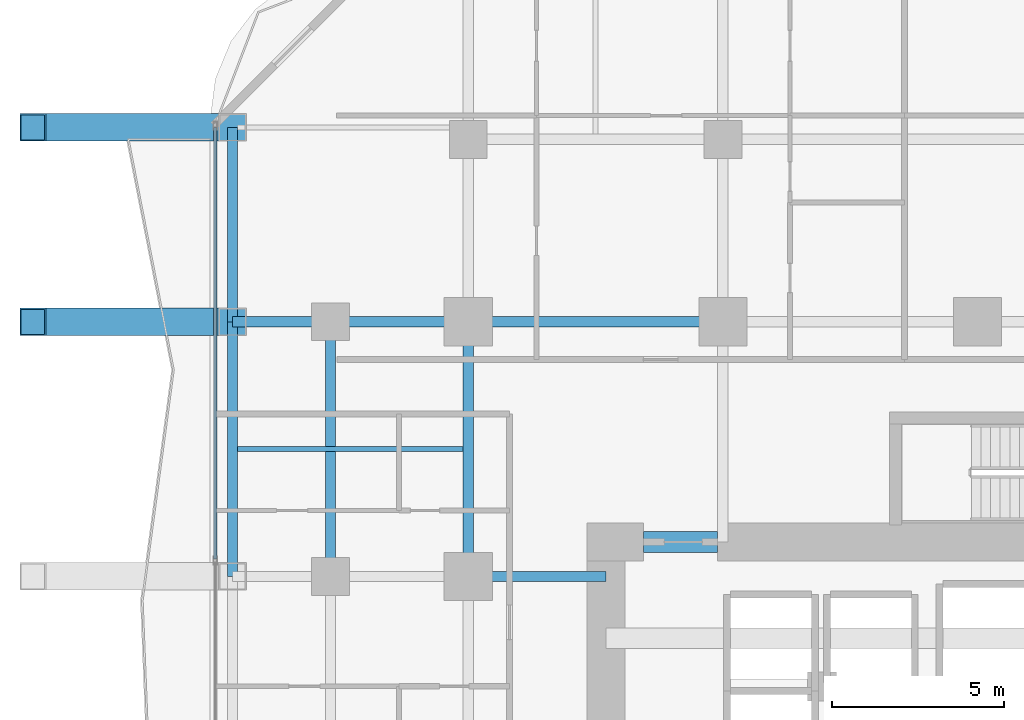
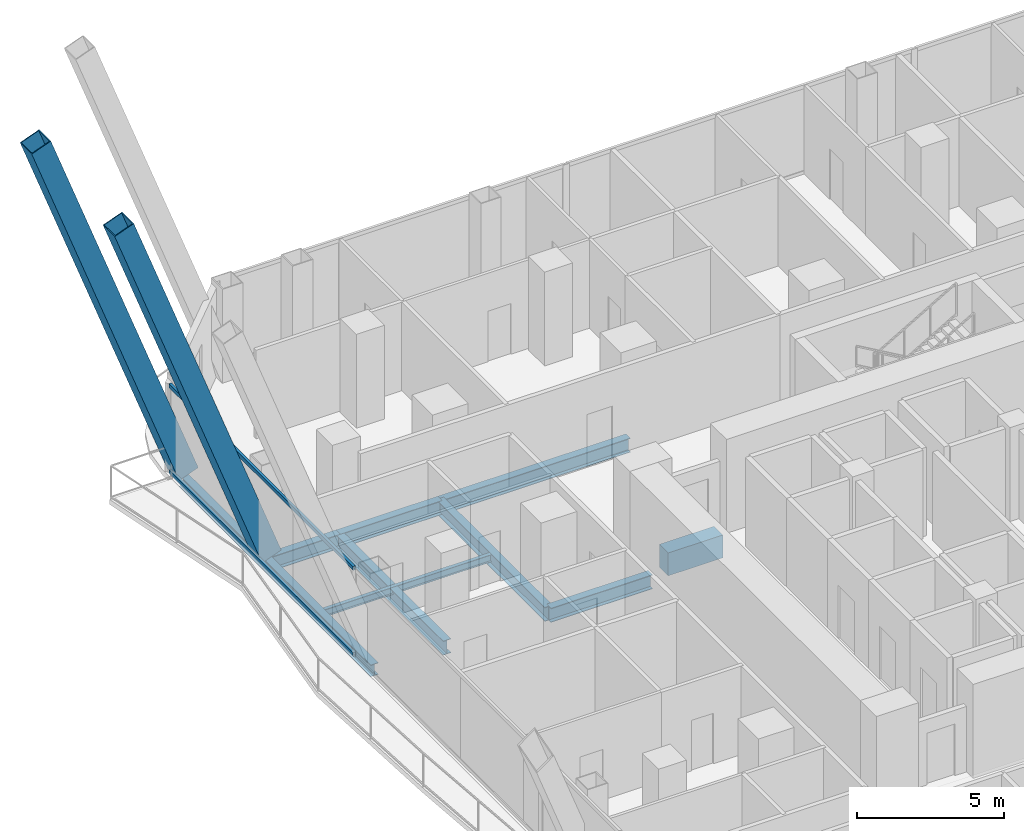
# One storey, part 16 of 33: 10 beams, 4 members, 1 element without a shape of its own.
"""IFC4 building model written with IfcOpenShell, lengths in metres."""

from ifc_helpers import new_model, si_unit, direction, frame, origin, origin_2d, place, context, subcontext, project, spatial, rectangle, hollow_rectangle, i_section, extrude, material, layer, layer_set, material_profile, profile_set, type_object, element, aggregate, save


model = new_model("IFC4")

# Units and contexts
model_context = context("Model", 3, precision=1e-05, world=origin(), true_north=direction((0.0, 1.0)))
body_context = subcontext(model_context, "Body", "Model", "MODEL_VIEW")
ifc_project = project(units=[si_unit("LENGTHUNIT", "METRE"), si_unit("AREAUNIT", "SQUARE_METRE"), si_unit("VOLUMEUNIT", "CUBIC_METRE"), si_unit("PLANEANGLEUNIT", "RADIAN"), si_unit("MASSUNIT", "GRAM", prefix="KILO")], contexts=[model_context])

# Site, building, storey
site_placement = place(None, origin())
site = spatial("IfcSite", under=ifc_project, at=site_placement, CompositionType="ELEMENT")
building_placement = place(site_placement, origin())
building = spatial("IfcBuilding", under=site, at=building_placement, Name="Khorvyn Point Tower", CompositionType="ELEMENT")
storey_placement = place(building_placement, frame((0.0, 0.0, 38.39990234375)))
storey = spatial("IfcBuildingStorey", under=building, at=storey_placement, Name="L10", CompositionType="ELEMENT", Elevation=38.39990234375)

# Curtain wall, members
ifc_material_1 = material(Name="Anodised aluminium 6063-T6 and laminated Low-E glass", Category="aluminium")
ifc_layer = layer(ifc_material_1, 0.18994140625)
ifc_layer_set = layer_set([ifc_layer], Name="Stick-Built Finned Residential Curtain Wall CW-SYS-02")
curtain_wall_type = type_object("IfcCurtainWallType", Name="Stick-Built Finned Residential Curtain Wall CW-SYS-02", PredefinedType="NOTDEFINED", material=ifc_layer_set)
curtain_wall_placement = place(storey_placement, origin())
curtain_wall = element("IfcCurtainWall", 1, at=curtain_wall_placement, inside=storey, type_object=curtain_wall_type, Name="Curtain Wall", PredefinedType="NOTDEFINED")
ifc_material_2 = material(Name="Anodised aluminium 6063-T6", Category="aluminium")
ifc_material_profile_1 = material_profile(ifc_material_2, hollow_rectangle(XDim=0.10009765625, YDim=0.159912109375, WallThickness=0.00439453125, at=origin_2d()))
ifc_profile_set_1 = profile_set([ifc_material_profile_1], Name="Anodised aluminium 6063-T6 ALU-TRN-100x160")
member_type_1 = type_object("IfcMemberType", Name="Anodised Aluminium 6063-T6 Transom ALU-TRN-100x160", PredefinedType="USERDEFINED", material=ifc_profile_set_1)
member_1_placement = place(storey_placement, frame((-22.14990234375, 7.90673828125, 0.050048828125), z_axis=(0.0, 1.0, 0.0), x_axis=(-1.0, 0.0, 0.0)))
member_1 = element("IfcMember", 2, at=member_1_placement, type_object=member_type_1, Name="Transom", ObjectType="TRANSOM", PredefinedType="USERDEFINED", context=body_context, shape_type="SweptSolid", body=[
    extrude(hollow_rectangle(XDim=0.10009765625, YDim=0.159912109375, WallThickness=0.00439453125, at=origin_2d()), origin(), (0.0, 0.0, 1.0), 12.543212890625),
])
member_2_placement = place(storey_placement, frame((-22.14990234375, 7.90673828125, 3.630126953125), z_axis=(0.0, 1.0, 0.0), x_axis=(-1.0, 0.0, 0.0)))
member_2 = element("IfcMember", 3, at=member_2_placement, type_object=member_type_1, Name="Transom", ObjectType="TRANSOM", PredefinedType="USERDEFINED", context=body_context, shape_type="SweptSolid", body=[
    extrude(hollow_rectangle(XDim=0.10009765625, YDim=0.159912109375, WallThickness=0.00439453125, at=origin_2d()), origin(), (0.0, 0.0, 1.0), 12.543212890625),
])
aggregate(curtain_wall, [member_1, member_2])

# Beams
ifc_material_3 = material(Name="Concrete C50/60", Category="concrete")
ifc_material_profile_2 = material_profile(ifc_material_3, rectangle(XDim=0.60009765625, YDim=0.949951171875, at=origin_2d()))
ifc_profile_set_2 = profile_set([ifc_material_profile_2], Name="Concrete C50/60 RC600x950")
beam_type_1 = type_object("IfcBeamType", Name="Concrete C50/60 Beam RC600x950", PredefinedType="BEAM", material=ifc_profile_set_2)
beam_1_placement = place(storey_placement, frame((-9.699951171875, 8.39990234375, -0.69482421875), z_axis=(1.0, 0.0, 0.0), x_axis=(0.0, 1.0, 0.0)))
element("IfcBeam", 4, at=beam_1_placement, inside=storey, type_object=beam_type_1, Name="L10 Core Northwest Portal Coupling Beam", PredefinedType="BEAM", context=body_context, shape_type="SweptSolid", body=[
    extrude(rectangle(XDim=0.60009765625, YDim=0.949951171875, at=origin_2d()), origin(), (0.0, 0.0, 1.0), 2.14990234375),
])
ifc_material_4 = material(Name="Steel S355", Category="steel")
ifc_material_profile_3 = material_profile(ifc_material_4, i_section(OverallWidth=0.300048828125, OverallDepth=0.587890625, WebThickness=0.011962890625, FlangeThickness=0.02001953125, at=origin_2d()))
ifc_profile_set_3 = profile_set([ifc_material_profile_3], Name="Steel S355 H588x300x12x20")
beam_type_2 = type_object("IfcBeamType", Name="Steel S355 Beam H588x300x12x20", PredefinedType="BEAM", material=ifc_profile_set_3)
beam_2_placement = place(storey_placement, frame((-21.64990234375, 14.800048828125, -0.513916015625), z_axis=(1.0, 0.0, 0.0), x_axis=(0.0, 1.0, 0.0)))
element("IfcBeam", 5, at=beam_2_placement, inside=storey, type_object=beam_type_2, Name="Beam", PredefinedType="BEAM", context=body_context, shape_type="SweptSolid", body=[
    extrude(i_section(OverallWidth=0.300048828125, OverallDepth=0.587890625, WebThickness=0.011962890625, FlangeThickness=0.02001953125, at=origin_2d()), origin(), (0.0, 0.0, 1.0), 2.849853515625),
])
beam_3_placement = place(storey_placement, frame((-18.800048828125, 14.800048828125, -0.513916015625), z_axis=(1.0, 0.0, 0.0), x_axis=(0.0, 1.0, 0.0)))
element("IfcBeam", 6, at=beam_3_placement, inside=storey, type_object=beam_type_2, Name="Beam", PredefinedType="BEAM", context=body_context, shape_type="SweptSolid", body=[
    extrude(i_section(OverallWidth=0.300048828125, OverallDepth=0.587890625, WebThickness=0.011962890625, FlangeThickness=0.02001953125, at=origin_2d()), origin(), (0.0, 0.0, 1.0), 4.0),
])
beam_4_placement = place(storey_placement, frame((-14.800048828125, 14.800048828125, -0.513916015625), z_axis=(1.0, 0.0, 0.0), x_axis=(0.0, 1.0, 0.0)))
element("IfcBeam", 7, at=beam_4_placement, inside=storey, type_object=beam_type_2, Name="Beam", PredefinedType="BEAM", context=body_context, shape_type="SweptSolid", body=[
    extrude(i_section(OverallWidth=0.300048828125, OverallDepth=0.587890625, WebThickness=0.011962890625, FlangeThickness=0.02001953125, at=origin_2d()), origin(), (0.0, 0.0, 1.0), 7.400146484375),
])
beam_5_placement = place(storey_placement, frame((-14.800048828125, 7.39990234375, -0.513916015625), z_axis=(1.0, 0.0, 0.0), x_axis=(0.0, 1.0, 0.0)))
element("IfcBeam", 8, at=beam_5_placement, inside=storey, type_object=beam_type_2, Name="Beam", PredefinedType="BEAM", context=body_context, shape_type="SweptSolid", body=[
    extrude(i_section(OverallWidth=0.300048828125, OverallDepth=0.587890625, WebThickness=0.011962890625, FlangeThickness=0.02001953125, at=origin_2d()), origin(), (0.0, 0.0, 1.0), 4.0),
])
for number, where, z_axis, x_axis, name in (
    (9, (-14.800048828125, 7.39990234375, -0.513916015625), (0.0, 1.0, 0.0), (-1.0, 0.0, 0.0), "Beam"),
    (10, (-18.800048828125, 7.39990234375, -0.513916015625), (0.0, 1.0, 0.0), (-1.0, 0.0, 0.0), "Beam"),
):
    element("IfcBeam", number, at=place(storey_placement, frame(where, z_axis=z_axis, x_axis=x_axis)), inside=storey, type_object=beam_type_2, Name=name, PredefinedType="BEAM", context=body_context, shape_type="SweptSolid", body=[
        extrude(i_section(OverallWidth=0.300048828125, OverallDepth=0.587890625, WebThickness=0.011962890625, FlangeThickness=0.02001953125, at=origin_2d()), origin(), (0.0, 0.0, 1.0), 7.400146484375),
    ])
ifc_material_profile_4 = material_profile(ifc_material_4, i_section(OverallWidth=0.14990234375, OverallDepth=0.300048828125, WebThickness=0.006591796875, FlangeThickness=0.009033203125, at=origin_2d()))
ifc_profile_set_4 = profile_set([ifc_material_profile_4], Name="Steel S355 H300x150x6.5x9")
beam_type_3 = type_object("IfcBeamType", Name="Steel S355 Joist H300x150x6.5x9", PredefinedType="JOIST", material=ifc_profile_set_4)
beam_6_placement = place(storey_placement, frame((-21.5, 11.10009765625, -0.369873046875), z_axis=(1.0, 0.0, 0.0), x_axis=(0.0, 1.0, 0.0)))
element("IfcBeam", 11, at=beam_6_placement, inside=storey, type_object=beam_type_3, Name="Beam", PredefinedType="JOIST", context=body_context, shape_type="SweptSolid", body=[
    extrude(i_section(OverallWidth=0.14990234375, OverallDepth=0.300048828125, WebThickness=0.006591796875, FlangeThickness=0.009033203125, at=origin_2d()), origin(), (0.0, 0.0, 1.0), 6.550048828125),
])
ifc_material_profile_5 = material_profile(ifc_material_4, i_section(OverallWidth=0.300048828125, OverallDepth=0.488037109375, WebThickness=0.010986328125, FlangeThickness=0.01806640625, at=origin_2d()))
ifc_profile_set_5 = profile_set([ifc_material_profile_5], Name="Steel S355 H488x300x11x18")
beam_type_4 = type_object("IfcBeamType", Name="Steel S355 Spandrel H488x300x11x18", PredefinedType="SPANDREL", material=ifc_profile_set_5)
beam_7_placement = place(storey_placement, frame((-21.64990234375, 7.39990234375, -0.4638671875), z_axis=(0.0, 1.0, 0.0), x_axis=(-1.0, 0.0, 0.0)))
element("IfcBeam", 12, at=beam_7_placement, inside=storey, type_object=beam_type_4, Name="Beam", PredefinedType="SPANDREL", context=body_context, shape_type="SweptSolid", body=[
    extrude(i_section(OverallWidth=0.300048828125, OverallDepth=0.488037109375, WebThickness=0.010986328125, FlangeThickness=0.01806640625, at=origin_2d()), origin(), (0.0, 0.0, 1.0), 7.400146484375),
])
beam_8_placement = place(storey_placement, frame((-21.64990234375, 14.800048828125, -0.4638671875), z_axis=(0.0, 1.0, 0.0), x_axis=(-1.0, 0.0, 0.0)))
element("IfcBeam", 13, at=beam_8_placement, inside=storey, type_object=beam_type_4, Name="Beam", PredefinedType="SPANDREL", context=body_context, shape_type="SweptSolid", body=[
    extrude(i_section(OverallWidth=0.300048828125, OverallDepth=0.488037109375, WebThickness=0.010986328125, FlangeThickness=0.01806640625, at=origin_2d()), origin(), (0.0, 0.0, 1.0), 5.64990234375),
])

# Members
ifc_material_5 = material(Name="Steel S450", Category="steel")
ifc_material_profile_6 = material_profile(ifc_material_5, hollow_rectangle(XDim=0.800048828125, YDim=0.800048828125, WallThickness=0.035888671875, at=origin_2d()))
ifc_profile_set_6 = profile_set([ifc_material_profile_6], Name="Steel S450 BOX800x800x36")
member_type_2 = type_object("IfcMemberType", Name="Steel S450 Exoskeleton Structural Post BOX800x800x36", PredefinedType="POST", material=ifc_profile_set_6)
for number, where, z_axis, x_axis, name in (
    (14, (-21.64990234375, 20.449951171875, 0.0), (-0.348488886408, 0.0, 0.937312912559), (0.0, -1.0, 0.0), "L10 to L14 Exoskeleton Transfer Post 06"),
    (15, (-21.64990234375, 14.800048828125, 0.0), (-0.348488886408, 0.0, 0.937312912559), (0.0, -1.0, 0.0), "L10 to L14 Exoskeleton Transfer Post 15"),
):
    element("IfcMember", number, at=place(storey_placement, frame(where, z_axis=z_axis, x_axis=x_axis)), inside=storey, type_object=member_type_2, Name=name, PredefinedType="POST", context=body_context, shape_type="SweptSolid", body=[
        extrude(hollow_rectangle(XDim=0.800048828125, YDim=0.800048828125, WallThickness=0.035888671875, at=origin_2d()), origin(), (0.0, 0.0, 1.0), 16.643310546875),
    ])

save(model, "model.ifc")
